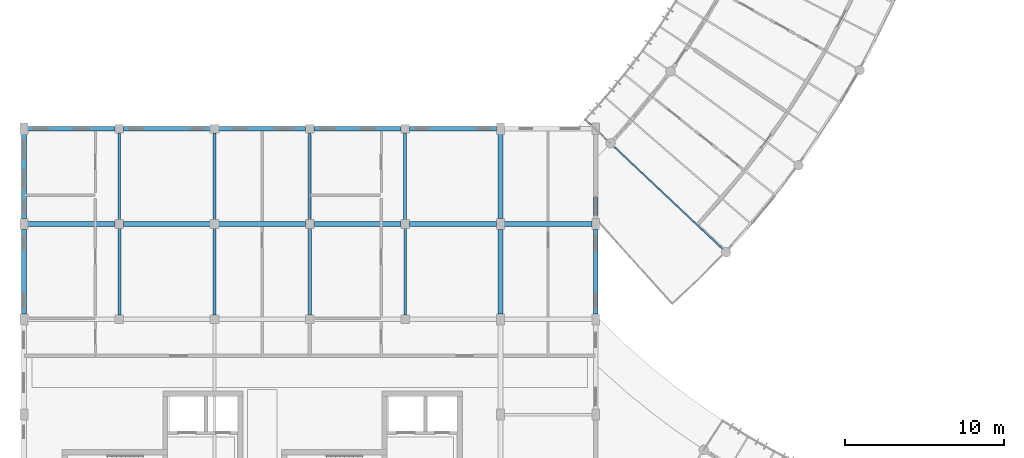
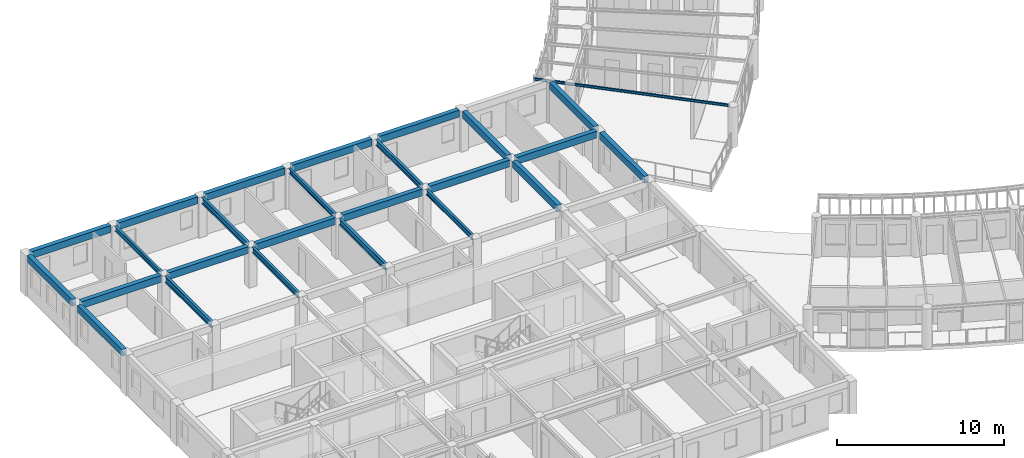
# One storey, part 10 of 101: 26 beams.
"""IFC4 building model written with IfcOpenShell, lengths in metres."""

from ifc_helpers import new_model, si_unit, direction, frame, origin, origin_2d, place, context, subcontext, project, spatial, rectangle, i_section, extrude, material, material_profile, profile_set, type_object, element, save


model = new_model("IFC4")

# Units and contexts
model_context = context("Model", 3, precision=1e-05, world=origin(), true_north=direction((0.0, 1.0)))
body_context = subcontext(model_context, "Body", "Model", "MODEL_VIEW")
ifc_project = project(units=[si_unit("LENGTHUNIT", "METRE"), si_unit("AREAUNIT", "SQUARE_METRE"), si_unit("VOLUMEUNIT", "CUBIC_METRE"), si_unit("PLANEANGLEUNIT", "RADIAN"), si_unit("MASSUNIT", "GRAM", prefix="KILO"), si_unit("POWERUNIT", "WATT"), si_unit("THERMODYNAMICTEMPERATUREUNIT", "KELVIN")], contexts=[model_context])

# Site, building, storey
site_placement = place(None, origin())
site = spatial("IfcSite", under=ifc_project, at=site_placement, CompositionType="ELEMENT")
building_placement = place(site_placement, origin())
building = spatial("IfcBuilding", under=site, at=building_placement, Name="Ruvembo Vaulted Housing Court", CompositionType="ELEMENT")
storey_placement = place(building_placement, frame((0.0, 0.0, 17.300048828125)))
storey = spatial("IfcBuildingStorey", under=building, at=storey_placement, Name="L05", CompositionType="ELEMENT", Elevation=17.300048828125)

# Beams
ifc_material_1 = material(Name="Steel S355J2", Category="steel")
ifc_material_profile_1 = material_profile(ifc_material_1, i_section(OverallWidth=0.091064453125, OverallDepth=0.179931640625, WebThickness=0.00537109375, FlangeThickness=0.008056640625, FilletRadius=0.009033203125, at=origin_2d()), Name="IPE 180")
ifc_profile_set_1 = profile_set([ifc_material_profile_1], Name="Steel S355J2")
beam_type_1 = type_object("IfcBeamType", Name="BM-ST-IPE180", PredefinedType="JOIST", material=ifc_profile_set_1)
beam_1_placement = place(storey_placement, frame((44.069580078125, 34.349609375, 2.842041015625), z_axis=(-0.727716236316, 0.685878326967, 0.0), x_axis=(-0.685878326967, -0.727716236316, 0.0)))
element("IfcBeam", 1, at=beam_1_placement, inside=storey, type_object=beam_type_1, Name="Scoop SC1 L05 Radial Steel Joist 0", PredefinedType="JOIST", context=body_context, shape_type="SweptSolid", body=[
    extrude(i_section(OverallWidth=0.091064453125, OverallDepth=0.179931640625, WebThickness=0.00537109375, FlangeThickness=0.008056640625, FilletRadius=0.009033203125, at=origin_2d()), origin(), (0.0, 0.0, 1.0), 12.050048828125),
])
ifc_material_profile_2 = material_profile(ifc_material_1, i_section(OverallWidth=0.169921875, OverallDepth=0.360107421875, WebThickness=0.008056640625, FlangeThickness=0.0126953125, FilletRadius=0.01806640625, at=origin_2d()), Name="IPE 360")
ifc_profile_set_2 = profile_set([ifc_material_profile_2], Name="Steel S355J2")
beam_type_2 = type_object("IfcBeamType", Name="BM-ST-IPE360", PredefinedType="BEAM", material=ifc_profile_set_2)
for number, where, z_axis, x_axis, name in (
    (2, (6.0, 36.260009765625, 2.745849609375), (0.0, 1.0, 0.0), (-1.0, 0.0, 0.0), "L05 Grid Beam Y #2430"),
    (3, (18.0, 36.260009765625, 2.745849609375), (0.0, 1.0, 0.0), (-1.0, 0.0, 0.0), "L05 Grid Beam Y #2439"),
    (4, (24.0, 30.260009765625, 2.745849609375), (0.0, 1.0, 0.0), (-1.0, 0.0, 0.0), "L05 Grid Beam Y #2442"),
):
    element("IfcBeam", number, at=place(storey_placement, frame(where, z_axis=z_axis, x_axis=x_axis)), inside=storey, type_object=beam_type_2, Name=name, PredefinedType="BEAM", context=body_context, shape_type="SweptSolid", body=[
        extrude(i_section(OverallWidth=0.169921875, OverallDepth=0.360107421875, WebThickness=0.008056640625, FlangeThickness=0.0126953125, FilletRadius=0.01806640625, at=origin_2d()), origin(), (0.0, 0.0, 1.0), 5.47998046875),
    ])
ifc_material_profile_3 = material_profile(ifc_material_1, i_section(OverallWidth=0.179931640625, OverallDepth=0.39990234375, WebThickness=0.008544921875, FlangeThickness=0.013427734375, FilletRadius=0.02099609375, at=origin_2d()), Name="IPE 400")
ifc_profile_set_3 = profile_set([ifc_material_profile_3], Name="Steel S355J2")
beam_type_3 = type_object("IfcBeamType", Name="BM-ST-IPE400", PredefinedType="BEAM", material=ifc_profile_set_3)
for number, where, z_axis, x_axis, name in (
    (5, (12.0, 30.260009765625, 2.725830078125), (0.0, 1.0, 0.0), (-1.0, 0.0, 0.0), "L05 Grid Beam Y #2434"),
    (6, (24.0, 36.260009765625, 2.725830078125), (0.0, 1.0, 0.0), (-1.0, 0.0, 0.0), "L05 Grid Beam Y #2443"),
):
    element("IfcBeam", number, at=place(storey_placement, frame(where, z_axis=z_axis, x_axis=x_axis)), inside=storey, type_object=beam_type_3, Name=name, PredefinedType="BEAM", context=body_context, shape_type="SweptSolid", body=[
        extrude(i_section(OverallWidth=0.179931640625, OverallDepth=0.39990234375, WebThickness=0.008544921875, FlangeThickness=0.013427734375, FilletRadius=0.02099609375, at=origin_2d()), origin(), (0.0, 0.0, 1.0), 5.47998046875),
    ])
ifc_material_profile_4 = material_profile(ifc_material_1, i_section(OverallWidth=0.18994140625, OverallDepth=0.449951171875, WebThickness=0.009521484375, FlangeThickness=0.0146484375, FilletRadius=0.02099609375, at=origin_2d()), Name="IPE 450")
ifc_profile_set_4 = profile_set([ifc_material_profile_4], Name="Steel S355J2")
beam_type_4 = type_object("IfcBeamType", Name="BM-ST-IPE450", PredefinedType="BEAM", material=ifc_profile_set_4)
for number, where, z_axis, x_axis, name in (
    (7, (6.0, 30.260009765625, 2.700927734375), (0.0, 1.0, 0.0), (-1.0, 0.0, 0.0), "L05 Grid Beam Y #2429"),
    (8, (12.0, 36.260009765625, 2.700927734375), (0.0, 1.0, 0.0), (-1.0, 0.0, 0.0), "L05 Grid Beam Y #2435"),
    (9, (18.0, 30.260009765625, 2.700927734375), (0.0, 1.0, 0.0), (-1.0, 0.0, 0.0), "L05 Grid Beam Y #2438"),
):
    element("IfcBeam", number, at=place(storey_placement, frame(where, z_axis=z_axis, x_axis=x_axis)), inside=storey, type_object=beam_type_4, Name=name, PredefinedType="BEAM", context=body_context, shape_type="SweptSolid", body=[
        extrude(i_section(OverallWidth=0.18994140625, OverallDepth=0.449951171875, WebThickness=0.009521484375, FlangeThickness=0.0146484375, FilletRadius=0.02099609375, at=origin_2d()), origin(), (0.0, 0.0, 1.0), 5.47998046875),
    ])
ifc_material_2 = material(Name="Concrete C35/45", Category="concrete")
ifc_material_profile_5 = material_profile(ifc_material_2, rectangle(XDim=0.300048828125, YDim=0.5, at=origin_2d()), Name="RC 300x500")
ifc_profile_set_5 = profile_set([ifc_material_profile_5], Name="Concrete C35/45")
beam_type_5 = type_object("IfcBeamType", Name="SP-RC-300x500", PredefinedType="SPANDREL", material=ifc_profile_set_5)
beam_2_placement = place(storey_placement, frame((0.235107421875, 36.0, 2.71484375), z_axis=(1.0, 0.0, 0.0), x_axis=(0.0, 1.0, 0.0)))
element("IfcBeam", 10, at=beam_2_placement, inside=storey, type_object=beam_type_5, Name="L05 Grid Beam X #2341", PredefinedType="SPANDREL", context=body_context, shape_type="SweptSolid", body=[
    extrude(rectangle(XDim=0.300048828125, YDim=0.5, at=origin_2d()), origin(), (0.0, 0.0, 1.0), 5.5048828125),
])
for number, where, z_axis, x_axis, name in (
    (11, (6.260009765625, 36.0, 2.71484375), (1.0, 0.0, 0.0), (0.0, 1.0, 0.0), "L05 Grid Beam X #2342"),
    (12, (12.260009765625, 36.0, 2.71484375), (1.0, 0.0, 0.0), (0.0, 1.0, 0.0), "L05 Grid Beam X #2343"),
    (13, (18.260009765625, 36.0, 2.71484375), (1.0, 0.0, 0.0), (0.0, 1.0, 0.0), "L05 Grid Beam X #2344"),
):
    element("IfcBeam", number, at=place(storey_placement, frame(where, z_axis=z_axis, x_axis=x_axis)), inside=storey, type_object=beam_type_5, Name=name, PredefinedType="SPANDREL", context=body_context, shape_type="SweptSolid", body=[
        extrude(rectangle(XDim=0.300048828125, YDim=0.5, at=origin_2d()), origin(), (0.0, 0.0, 1.0), 5.47998046875),
    ])
beam_3_placement = place(storey_placement, frame((24.260009765625, 36.0, 2.71484375), z_axis=(1.0, 0.0, 0.0), x_axis=(0.0, 1.0, 0.0)))
element("IfcBeam", 14, at=beam_3_placement, inside=storey, type_object=beam_type_5, Name="L05 Grid Beam X #2345", PredefinedType="SPANDREL", context=body_context, shape_type="SweptSolid", body=[
    extrude(rectangle(XDim=0.300048828125, YDim=0.5, at=origin_2d()), origin(), (0.0, 0.0, 1.0), 5.5048828125),
])
beam_4_placement = place(storey_placement, frame((30.235107421875, 36.0, 2.71484375), z_axis=(1.0, 0.0, 0.0), x_axis=(0.0, 1.0, 0.0)))
element("IfcBeam", 15, at=beam_4_placement, inside=storey, type_object=beam_type_5, Name="L05 Grid Beam X #2346", PredefinedType="SPANDREL", context=body_context, shape_type="SweptSolid", body=[
    extrude(rectangle(XDim=0.300048828125, YDim=0.5, at=origin_2d()), origin(), (0.0, 0.0, 1.0), 5.52978515625),
])
beam_5_placement = place(storey_placement, frame((0.235107421875, 42.0, 2.71484375), z_axis=(1.0, 0.0, 0.0), x_axis=(0.0, 1.0, 0.0)))
element("IfcBeam", 16, at=beam_5_placement, inside=storey, type_object=beam_type_5, Name="L05 Grid Beam X #2353", PredefinedType="SPANDREL", context=body_context, shape_type="SweptSolid", body=[
    extrude(rectangle(XDim=0.300048828125, YDim=0.5, at=origin_2d()), origin(), (0.0, 0.0, 1.0), 5.5048828125),
])
for number, where, z_axis, x_axis, name in (
    (17, (6.260009765625, 42.0, 2.71484375), (1.0, 0.0, 0.0), (0.0, 1.0, 0.0), "L05 Grid Beam X #2354"),
    (18, (12.260009765625, 42.0, 2.71484375), (1.0, 0.0, 0.0), (0.0, 1.0, 0.0), "L05 Grid Beam X #2355"),
    (19, (18.260009765625, 42.0, 2.71484375), (1.0, 0.0, 0.0), (0.0, 1.0, 0.0), "L05 Grid Beam X #2356"),
):
    element("IfcBeam", number, at=place(storey_placement, frame(where, z_axis=z_axis, x_axis=x_axis)), inside=storey, type_object=beam_type_5, Name=name, PredefinedType="SPANDREL", context=body_context, shape_type="SweptSolid", body=[
        extrude(rectangle(XDim=0.300048828125, YDim=0.5, at=origin_2d()), origin(), (0.0, 0.0, 1.0), 5.47998046875),
    ])
beam_6_placement = place(storey_placement, frame((24.260009765625, 42.0, 2.71484375), z_axis=(1.0, 0.0, 0.0), x_axis=(0.0, 1.0, 0.0)))
element("IfcBeam", 20, at=beam_6_placement, inside=storey, type_object=beam_type_5, Name="L05 Grid Beam X #2357", PredefinedType="SPANDREL", context=body_context, shape_type="SweptSolid", body=[
    extrude(rectangle(XDim=0.300048828125, YDim=0.5, at=origin_2d()), origin(), (0.0, 0.0, 1.0), 5.5048828125),
])
for number, where, z_axis, x_axis, name in (
    (21, (0.0, 30.3349609375, 2.71484375), (0.0, 1.0, 0.0), (-1.0, 0.0, 0.0), "L05 Grid Beam Y #2425"),
    (22, (0.0, 36.3349609375, 2.71484375), (0.0, 1.0, 0.0), (-1.0, 0.0, 0.0), "L05 Grid Beam Y #2426"),
    (23, (30.0, 30.3349609375, 2.71484375), (0.0, 1.0, 0.0), (-1.0, 0.0, 0.0), "L05 Grid Beam Y #2448"),
    (24, (30.0, 36.3349609375, 2.71484375), (0.0, 1.0, 0.0), (-1.0, 0.0, 0.0), "L05 Grid Beam Y #2449"),
    (25, (36.0, 30.3349609375, 2.71484375), (0.0, 1.0, 0.0), (-1.0, 0.0, 0.0), "L05 Grid Beam Y #2454"),
    (26, (36.0, 36.3349609375, 2.71484375), (0.0, 1.0, 0.0), (-1.0, 0.0, 0.0), "L05 Grid Beam Y #2455"),
):
    element("IfcBeam", number, at=place(storey_placement, frame(where, z_axis=z_axis, x_axis=x_axis)), inside=storey, type_object=beam_type_5, Name=name, PredefinedType="SPANDREL", context=body_context, shape_type="SweptSolid", body=[
        extrude(rectangle(XDim=0.300048828125, YDim=0.5, at=origin_2d()), origin(), (0.0, 0.0, 1.0), 5.330078125),
    ])

save(model, "model.ifc")
